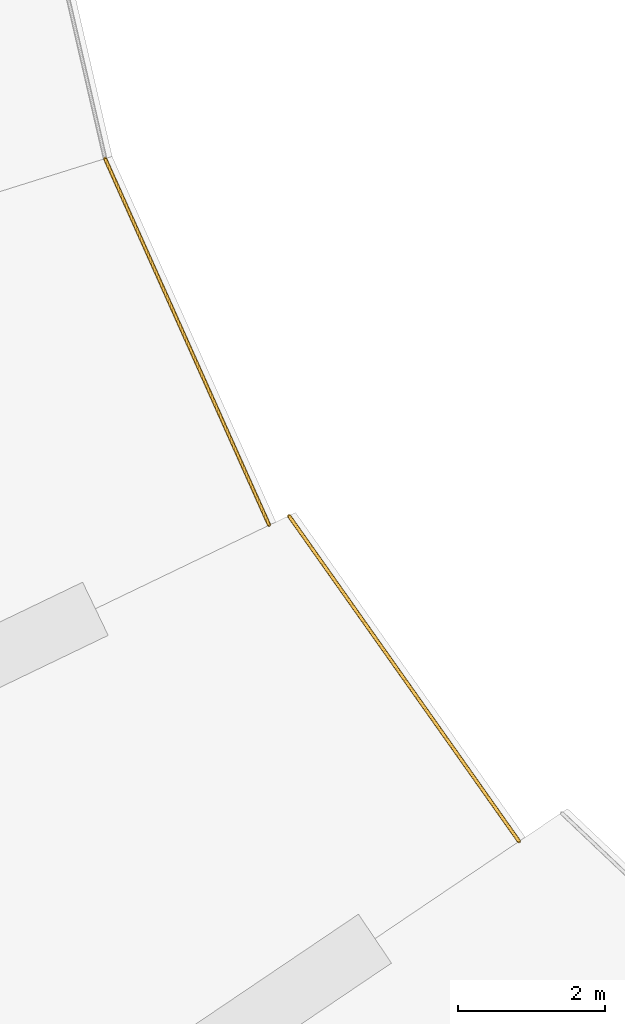
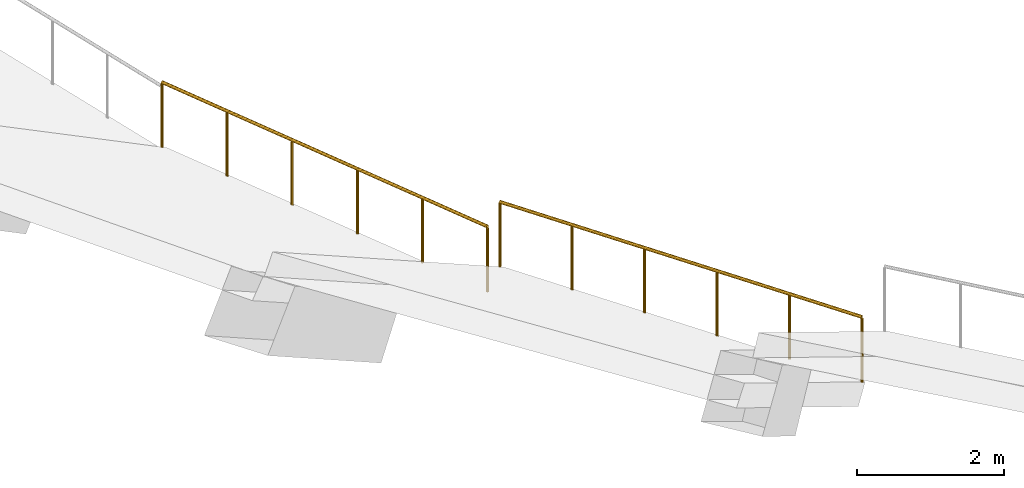
# One storey, part 204 of 249: 2 railings.
"""IFC4 building model written with IfcOpenShell, lengths in metres."""

import ifcopenshell
import ifcopenshell.guid

model = None  # the IFC model being written
_history = None  # IfcOwnerHistory: only IFC2X3 demands one
_inside = {}  # id of a spatial element -> (the spatial element, [elements in it])
_under = {}  # id of a project, library or spatial element -> (it, [spatial elements below it])
_declared = {}  # id of a project -> (the project, [libraries it declares])
_typed = {}  # id of a type object -> (the type object, [elements of that type])
_made_of = {}  # id of a material, layer set ... -> (it, [elements and type objects made of it])


def new_model(schema):
    """Start an empty IFC model of exactly this schema.

    Asked for "IFC4X3", IfcOpenShell would pick the latest addendum, in which some entities
    have other attributes; the version numbers below select the first issue.
    IFC2X3 requires an IfcOwnerHistory on every rooted entity: one is made here for all.
    """
    global model, _history
    if schema == "IFC4X3":
        model = ifcopenshell.file(schema_version=(4, 3, 0, 0))
    else:
        model = ifcopenshell.file(schema=schema)
    _inside.clear()
    _under.clear()
    _declared.clear()
    _typed.clear()
    _made_of.clear()
    _history = None
    if model.schema == "IFC2X3":
        org = make("IfcOrganization", Name="unknown")
        user = make(
            "IfcPersonAndOrganization",
            ThePerson=make("IfcPerson", FamilyName="unknown"),
            TheOrganization=org,
        )
        app = make(
            "IfcApplication",
            ApplicationDeveloper=org,
            Version="unknown",
            ApplicationFullName="unknown",
            ApplicationIdentifier="unknown",
        )
        _history = make(
            "IfcOwnerHistory",
            OwningUser=user,
            OwningApplication=app,
            ChangeAction="ADDED",
            CreationDate=0,
        )
    return model


def make(cls, **values):
    """One entity of the class cls with the attributes given. An attribute that is None is left unset."""
    return model.create_entity(
        cls, **{name: value for name, value in values.items() if value is not None}
    )


def rooted(cls, **values):
    """An entity with a GlobalId (a new one), such as an element, a storey or a relation."""
    return make(cls, GlobalId=ifcopenshell.guid.new(), OwnerHistory=_history, **values)


def si_unit(unit_type, name, prefix=None):
    """IfcSIUnit, for example si_unit("LENGTHUNIT", "METRE", prefix="MILLI")."""
    return make("IfcSIUnit", UnitType=unit_type, Prefix=prefix, Name=name)


def assignment(units):
    """IfcUnitAssignment: the units of a project."""
    return None if units is None else make("IfcUnitAssignment", Units=units)


def point(xyz):
    """IfcCartesianPoint."""
    return None if xyz is None else make("IfcCartesianPoint", Coordinates=xyz)


def direction(xyz):
    """IfcDirection."""
    return None if xyz is None else make("IfcDirection", DirectionRatios=xyz)


def frame(location, z_axis=None, x_axis=None):
    """IfcAxis2Placement3D, a coordinate frame: its origin and axes. An axis left out is left unset."""
    return make(
        "IfcAxis2Placement3D",
        Location=point(location),
        Axis=direction(z_axis),
        RefDirection=direction(x_axis),
    )


def frame_2d(location, x_axis=None):
    """IfcAxis2Placement2D, a coordinate frame in the plane: its origin and x axis."""
    return make(
        "IfcAxis2Placement2D", Location=point(location), RefDirection=direction(x_axis)
    )


def origin():
    """The frame at (0, 0, 0) with its axes left unset."""
    return frame((0.0, 0.0, 0.0))


def origin_2d():
    """The frame at (0, 0) in the plane with its x axis left unset."""
    return frame_2d((0.0, 0.0))


def place(relative_to, where):
    """IfcLocalPlacement: puts the frame where relative to a parent placement (None: the world)."""
    return make(
        "IfcLocalPlacement", PlacementRelTo=relative_to, RelativePlacement=where
    )


def context(
    kind, dimensions, precision=None, world=None, true_north=None, identifier=None
):
    """IfcGeometricRepresentationContext, for example the 3D "Model" context."""
    return make(
        "IfcGeometricRepresentationContext",
        ContextIdentifier=identifier,
        ContextType=kind,
        CoordinateSpaceDimension=dimensions,
        Precision=precision,
        WorldCoordinateSystem=world,
        TrueNorth=true_north,
    )


def subcontext(parent, identifier, kind, view, scale=None):
    """IfcGeometricRepresentationSubContext, for example "Body" below "Model"."""
    return make(
        "IfcGeometricRepresentationSubContext",
        ContextIdentifier=identifier,
        ContextType=kind,
        ParentContext=parent,
        TargetScale=scale,
        TargetView=view,
    )


def project(units=None, contexts=None):
    """IfcProject with its units and contexts."""
    return rooted(
        "IfcProject",
        Name="project",
        RepresentationContexts=contexts,
        UnitsInContext=assignment(units),
    )


def spatial(cls, under=None, at=None, **own):
    """A site, building, storey or space (cls), placed at a placement, below another one or the project."""
    s = rooted(cls, ObjectPlacement=at, **own)
    if under is not None:
        _under.setdefault(under.id(), (under, []))[1].append(s)
    return s


def profile(cls, at=None, kind="AREA", **sizes):
    """A parametric profile (cls). Its sizes go by their IFC names, for example OverallWidth=200.0."""
    return make(cls, ProfileType=kind, Position=at, **sizes)


def circle(**sizes):
    """IfcCircleProfileDef."""
    return profile("IfcCircleProfileDef", **sizes)


def extrude(swept, where, along, depth):
    """IfcExtrudedAreaSolid: the profile swept, set in the frame where, extruded along a direction by depth."""
    return make(
        "IfcExtrudedAreaSolid",
        SweptArea=swept,
        Position=where,
        ExtrudedDirection=direction(along),
        Depth=depth,
    )


def shape(context_of_items, identifier, shape_type, items):
    """IfcShapeRepresentation: the items that make up one representation, for example the "Body"."""
    return make(
        "IfcShapeRepresentation",
        ContextOfItems=context_of_items,
        RepresentationIdentifier=identifier,
        RepresentationType=shape_type,
        Items=items,
    )


def material(Name=None, Category=None):
    """IfcMaterial."""
    return make("IfcMaterial", Name=Name, Category=Category)


def made_of(thing, what):
    """Note that an element or type object is made of a material, layer set ...; save() writes the relation."""
    if what is not None:
        _made_of.setdefault(what.id(), (what, []))[1].append(thing)
    return thing


def type_object(cls, material=None, **own):
    """A type object (cls), such as IfcWallType, which elements share."""
    return made_of(rooted(cls, **own), material)


def element(
    cls,
    number,
    at=None,
    inside=None,
    cuts=None,
    type_object=None,
    material=None,
    context=None,
    identifier="Body",
    shape_type=None,
    held_by="IfcProductDefinitionShape",
    body=None,
    shapes=None,
    **own,
):
    """One element of the class cls, such as IfcWall. Its Tag is "e" and its number.

    at: its placement. inside: the storey or other place that contains it. cuts: it is an
    opening in that element (IfcRelVoidsElement). A single representation is given by context,
    identifier, shape_type and body (its items); several are given by shapes. held_by: the class
    of the entity that holds the representations. save() writes the other relations.
    """
    e = rooted(cls, Tag="e%d" % number, ObjectPlacement=at, **own)
    if body is not None:
        shapes = [shape(context, identifier, shape_type, body)]
    if shapes is not None:
        e.Representation = make(held_by, Representations=shapes)
    if inside is not None:
        _inside.setdefault(inside.id(), (inside, []))[1].append(e)
    if cuts is not None:
        rooted(
            "IfcRelVoidsElement", RelatingBuildingElement=cuts, RelatedOpeningElement=e
        )
    if type_object is not None:
        _typed.setdefault(type_object.id(), (type_object, []))[1].append(e)
    return made_of(e, material)


def aggregate(whole, parts):
    """IfcRelAggregates: a whole, such as a stair, and the parts it consists of."""
    return rooted("IfcRelAggregates", RelatingObject=whole, RelatedObjects=parts)


def save(model, path):
    """Write the relations noted so far, then the file.

    IfcRelAggregates (storeys below a building ...), IfcRelContainedInSpatialStructure (elements
    in a storey), IfcRelDefinesByType, IfcRelAssociatesMaterial and IfcRelDeclares: one each for
    every whole, place, type object, material and project.
    """
    for whole, parts in _under.values():
        aggregate(whole, parts)
    for where, things in _inside.values():
        rooted(
            "IfcRelContainedInSpatialStructure",
            RelatedElements=things,
            RelatingStructure=where,
        )
    for kind, things in _typed.values():
        rooted("IfcRelDefinesByType", RelatedObjects=things, RelatingType=kind)
    for what, things in _made_of.values():
        rooted("IfcRelAssociatesMaterial", RelatedObjects=things, RelatingMaterial=what)
    for by, libraries in _declared.values():
        rooted("IfcRelDeclares", RelatingContext=by, RelatedDefinitions=libraries)
    model.write(path)


model = new_model("IFC4")

# Units and contexts
model_context = context("Model", 3, precision=1e-05, world=origin(), true_north=direction((0.0, 1.0)))
body_context = subcontext(model_context, "Body", "Model", "MODEL_VIEW")
ifc_project = project(units=[si_unit("LENGTHUNIT", "METRE"), si_unit("AREAUNIT", "SQUARE_METRE"), si_unit("VOLUMEUNIT", "CUBIC_METRE"), si_unit("PLANEANGLEUNIT", "RADIAN"), si_unit("MASSUNIT", "GRAM", prefix="KILO")], contexts=[model_context])

# Site, building, storey
site_placement = place(None, origin())
site = spatial("IfcSite", under=ifc_project, at=site_placement, CompositionType="ELEMENT")
building_placement = place(site_placement, origin())
building = spatial("IfcBuilding", under=site, at=building_placement, Name="Meseta Stadium", CompositionType="ELEMENT")
storey_placement = place(building_placement, frame((0.0, 0.0, 12.0)))
storey = spatial("IfcBuildingStorey", under=building, at=storey_placement, Name="L02", CompositionType="ELEMENT", Elevation=12.0)

# Railings
ifc_material = material(Name="Steel S355", Category="steel")
railing_type = type_object("IfcRailingType", Name="Stand edge guard 1100", PredefinedType="GUARDRAIL", material=ifc_material)
railing_1_placement = place(storey_placement, frame((-53.994140625, -54.292236328125, -0.860595703125)))
element("IfcRailing", 1, at=railing_1_placement, inside=storey, type_object=railing_type, Name="Stand upper tier front guard bay 39", PredefinedType="GUARDRAIL", context=body_context, shape_type="SweptSolid", body=[
    extrude(circle(Radius=0.02490234375, at=origin_2d()), frame((0.0, 0.0, 1.0751953125), z_axis=(0.408389514087, -0.912370036516, -0.028265195063), x_axis=(0.912734710946, 0.408552747432, 0.0)), (0.0, 0.0, 1.0), 5.4501953125),
    extrude(circle(Radius=0.02001953125, at=origin_2d()), origin(), (0.0, 0.0, 1.0), 1.050048828125),
    extrude(circle(Radius=0.02001953125, at=origin_2d()), frame((0.445068359375, -0.99462890625, -0.03076171875)), (0.0, 0.0, 1.0), 1.050048828125),
    extrude(circle(Radius=0.02001953125, at=origin_2d()), frame((0.890380859375, -1.989013671875, -0.0615234375)), (0.0, 0.0, 1.0), 1.050048828125),
    extrude(circle(Radius=0.02001953125, at=origin_2d()), frame((1.33544921875, -2.983642578125, -0.092529296875)), (0.0, 0.0, 1.0), 1.050048828125),
    extrude(circle(Radius=0.02001953125, at=origin_2d()), frame((1.78076171875, -3.97802734375, -0.123291015625)), (0.0, 0.0, 1.0), 1.050048828125),
    extrude(circle(Radius=0.02001953125, at=origin_2d()), frame((2.225830078125, -4.97265625, -0.154052734375)), (0.0, 0.0, 1.0), 1.050048828125),
])
railing_2_placement = place(storey_placement, frame((-51.501220703125, -59.136474609375, -0.777099609375)))
element("IfcRailing", 2, at=railing_2_placement, inside=storey, type_object=railing_type, Name="Stand upper tier front guard bay 40", PredefinedType="GUARDRAIL", context=body_context, shape_type="SweptSolid", body=[
    extrude(circle(Radius=0.02490234375, at=origin_2d()), frame((0.0, 0.0, 1.0751953125), z_axis=(0.576195436545, -0.815161782267, -0.059245992576), x_axis=(0.81659620423, 0.577209354773, 0.0)), (0.0, 0.0, 1.0), 5.4189453125),
    extrude(circle(Radius=0.02001953125, at=origin_2d()), origin(), (0.0, 0.0, 1.0), 1.050048828125),
    extrude(circle(Radius=0.02001953125, at=origin_2d()), frame((0.62451171875, -0.883544921875, -0.064208984375)), (0.0, 0.0, 1.0), 1.050048828125),
    extrude(circle(Radius=0.02001953125, at=origin_2d()), frame((1.2490234375, -1.766845703125, -0.12841796875)), (0.0, 0.0, 1.0), 1.050048828125),
    extrude(circle(Radius=0.02001953125, at=origin_2d()), frame((1.873291015625, -2.650390625, -0.192626953125)), (0.0, 0.0, 1.0), 1.050048828125),
    extrude(circle(Radius=0.02001953125, at=origin_2d()), frame((2.497802734375, -3.53369140625, -0.2568359375)), (0.0, 0.0, 1.0), 1.050048828125),
    extrude(circle(Radius=0.02001953125, at=origin_2d()), frame((3.122314453125, -4.417236328125, -0.321044921875)), (0.0, 0.0, 1.0), 1.050048828125),
])

save(model, "model.ifc")
